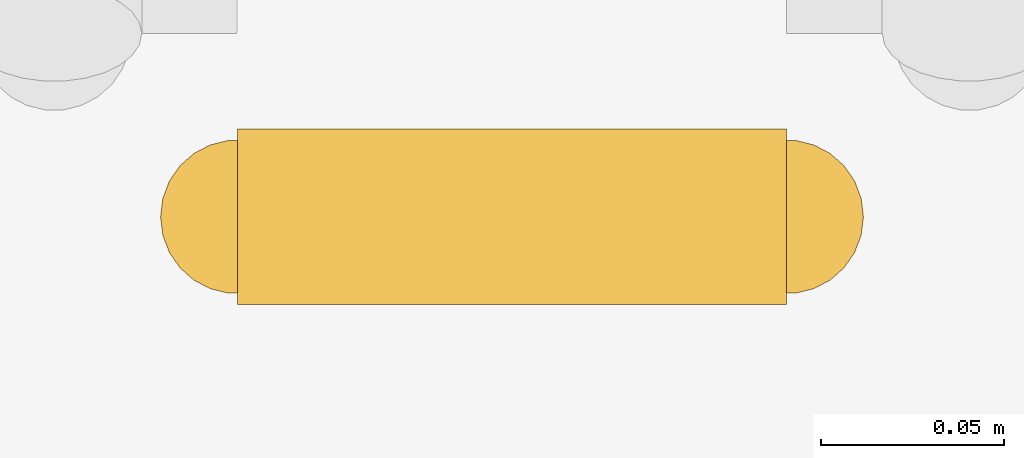
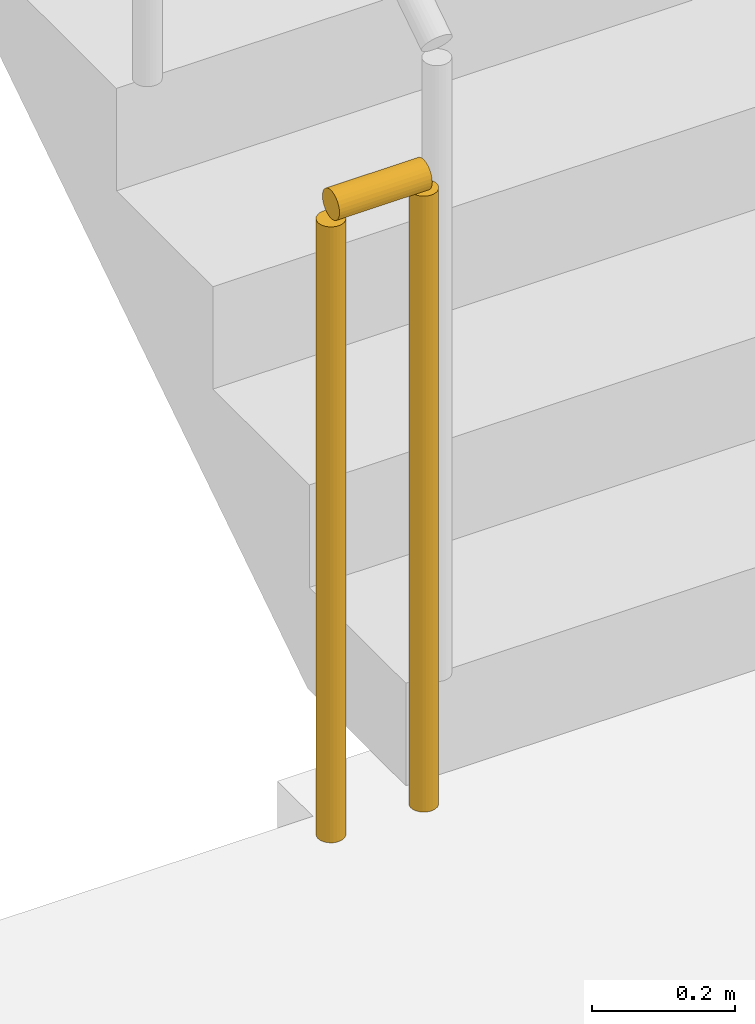
# One storey, part 14 of 19: 1 railing.
"""IFC4 building model written with IfcOpenShell, lengths in metres."""

from ifc_helpers import new_model, si_unit, direction, frame, origin, origin_2d, place, context, subcontext, project, spatial, circle, extrude, material, type_object, element, save


model = new_model("IFC4")

# Units and contexts
model_context = context("Model", 3, precision=1e-05, world=origin(), true_north=direction((0.0, 1.0)))
body_context = subcontext(model_context, "Body", "Model", "MODEL_VIEW")
ifc_project = project(units=[si_unit("LENGTHUNIT", "METRE"), si_unit("AREAUNIT", "SQUARE_METRE"), si_unit("VOLUMEUNIT", "CUBIC_METRE"), si_unit("PLANEANGLEUNIT", "RADIAN"), si_unit("MASSUNIT", "GRAM", prefix="KILO")], contexts=[model_context])

# Site, building, storey
site_placement = place(None, origin())
site = spatial("IfcSite", under=ifc_project, at=site_placement, CompositionType="ELEMENT")
building_placement = place(site_placement, origin())
building = spatial("IfcBuilding", under=site, at=building_placement, Name="Saffron Iwan Residences", CompositionType="ELEMENT")
storey_placement = place(building_placement, frame((0.0, 0.0, 236.0)))
storey = spatial("IfcBuildingStorey", under=building, at=storey_placement, Name="L63", CompositionType="ELEMENT", Elevation=236.0)

# Railing
ifc_material = material(Name="Steel S355", Category="steel")
railing_type = type_object("IfcRailingType", Name="Stair guard 1100", PredefinedType="GUARDRAIL", material=ifc_material)
railing_placement = place(storey_placement, frame((31.25, 67.800048828125, 0.0)))
element("IfcRailing", 1, at=railing_placement, inside=storey, type_object=railing_type, Name="L63 ST-W stair guard 2", PredefinedType="GUARDRAIL", context=body_context, shape_type="SweptSolid", body=[
    extrude(circle(Radius=0.02392578125, at=origin_2d()), frame((0.0, 0.0, 1.076171875), z_axis=(-1.0, 0.0, 0.0), x_axis=(0.0, -1.0, 0.0)), (0.0, 0.0, 1.0), 0.14990234375),
    extrude(circle(Radius=0.02099609375, at=origin_2d()), origin(), (0.0, 0.0, 1.0), 1.052001953125),
    extrude(circle(Radius=0.02099609375, at=origin_2d()), frame((-0.14990234375, 0.0, 0.0)), (0.0, 0.0, 1.0), 1.052001953125),
])

save(model, "model.ifc")
